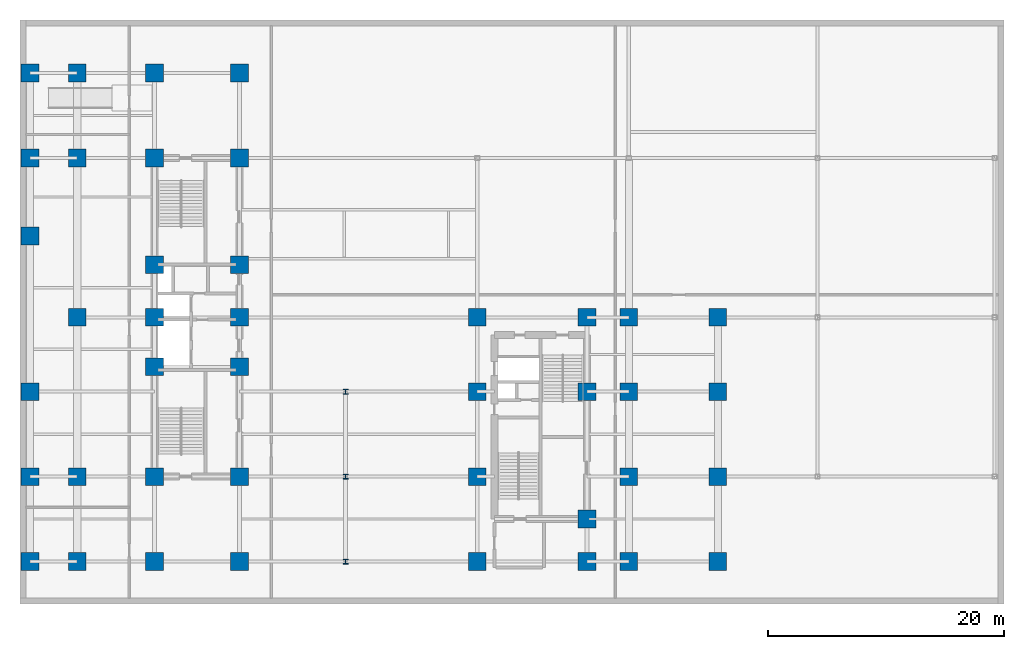
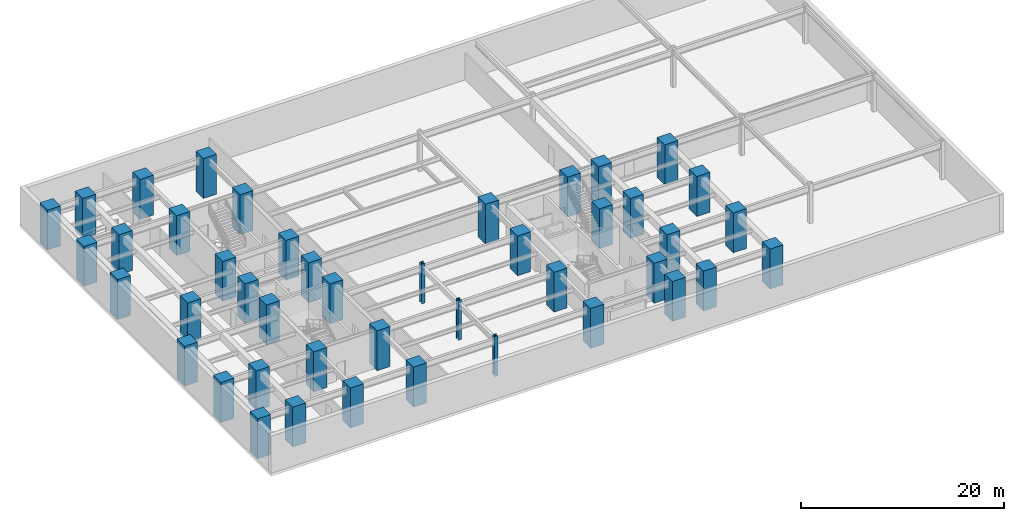
# One storey, part 1 of 9: 44 columns.
"""IFC4 building model written with IfcOpenShell, lengths in metres."""

from ifc_helpers import new_model, entity, si_unit, converted_unit, direction, frame, origin_with_axes, origin_2d_with_axis, place, context, subcontext, project, spatial, rectangle, i_section, extrude, material, material_profile, profile_set, type_object, element, save


model = new_model("IFC4")

# Units and contexts
model_context = context("Model", 3, precision=1e-05, world=origin_with_axes(), true_north=direction((0.0, 1.0)))
body_context = subcontext(model_context, "Body", "Model", "MODEL_VIEW")
ifc_project = project(units=[si_unit("LENGTHUNIT", "METRE"), si_unit("AREAUNIT", "SQUARE_METRE"), si_unit("VOLUMEUNIT", "CUBIC_METRE"), converted_unit("PLANEANGLEUNIT", "DEGREE", entity("IfcPlaneAngleMeasure", 0.017453292519943295), si_unit("PLANEANGLEUNIT", "RADIAN"), dimensions=[0, 0, 0, 0, 0, 0, 0]), si_unit("MASSUNIT", "GRAM", prefix="KILO"), si_unit("THERMODYNAMICTEMPERATUREUNIT", "KELVIN")], contexts=[model_context])

# Site, building, storey
site_placement = place(None, origin_with_axes())
site = spatial("IfcSite", under=ifc_project, at=site_placement, CompositionType="ELEMENT")
building_placement = place(site_placement, origin_with_axes())
building = spatial("IfcBuilding", under=site, at=building_placement, Name="Varnlund Millrace Tower", CompositionType="ELEMENT")
storey_placement = place(building_placement, frame((0.0, 0.0, -4.8), z_axis=(0.0, 0.0, 1.0), x_axis=(1.0, 0.0, 0.0)))
storey = spatial("IfcBuildingStorey", under=building, at=storey_placement, Name="B1", CompositionType="ELEMENT", Elevation=-4.8)

# Columns
ifc_material_1 = material(Name="Steel ASTM A913 Grade 65", Category="steel")
ifc_material_profile_1 = material_profile(ifc_material_1, i_section(OverallWidth=0.406, OverallDepth=0.416, WebThickness=0.0298, FlangeThickness=0.048, FilletRadius=0.022, at=origin_2d_with_axis()), Name="Steel ASTM A913 Grade 65")
ifc_profile_set_1 = profile_set([ifc_material_profile_1], Name="Steel ASTM A913 Grade 65")
column_type_1 = type_object("IfcColumnType", Name="Type-Col-Int-W14X257", PredefinedType="COLUMN", material=ifc_profile_set_1)
for number, where, z_axis, x_axis, name in (
    (1, (27.6, 3.6, 0.0), (0.0, 0.0, 1.0), (1.0, 0.0, 0.0), "Type-Col-Int-W14X257"),
    (2, (27.6, 10.8, 0.0), (0.0, 0.0, 1.0), (1.0, 0.0, 0.0), "Type-Col-Int-W14X257"),
    (3, (27.6, 18.0, 0.0), (0.0, 0.0, 1.0), (1.0, 0.0, 0.0), "Type-Col-Int-W14X257"),
):
    element("IfcColumn", number, at=place(storey_placement, frame(where, z_axis=z_axis, x_axis=x_axis)), inside=storey, type_object=column_type_1, Name=name, PredefinedType="COLUMN", context=body_context, shape_type="SweptSolid", body=[
        extrude(i_section(OverallWidth=0.406, OverallDepth=0.416, WebThickness=0.0298, FlangeThickness=0.048, FilletRadius=0.022, at=origin_2d_with_axis()), origin_with_axes(), (0.0, 0.0, 1.0), 4.8),
    ])
ifc_material_2 = material(Name="Concrete C80/95", Category="concrete")
ifc_material_profile_2 = material_profile(ifc_material_2, rectangle(XDim=1.5, YDim=1.5, at=origin_2d_with_axis()), Name="Concrete C80/95")
ifc_profile_set_2 = profile_set([ifc_material_profile_2], Name="Concrete C80/95")
column_type_2 = type_object("IfcColumnType", Name="Type-Col-RC1500-C80", PredefinedType="COLUMN", material=ifc_profile_set_2)
for number, where, z_axis, x_axis, name in (
    (4, (11.4, 3.6, 0.0), (0.0, 0.0, 1.0), (1.0, 0.0, 0.0), "Type-Col-RC1500-C80"),
    (5, (11.4, 10.8, 0.0), (0.0, 0.0, 1.0), (1.0, 0.0, 0.0), "Type-Col-RC1500-C80"),
    (6, (11.4, 20.1, 0.0), (0.0, 0.0, 1.0), (1.0, 0.0, 0.0), "Type-Col-RC1500-C80"),
    (7, (11.4, 24.3, 0.0), (0.0, 0.0, 1.0), (1.0, 0.0, 0.0), "Type-Col-RC1500-C80"),
    (8, (11.4, 28.75, 0.0), (0.0, 0.0, 1.0), (1.0, 0.0, 0.0), "Type-Col-RC1500-C80"),
    (9, (11.4, 37.8, 0.0), (0.0, 0.0, 1.0), (1.0, 0.0, 0.0), "Type-Col-RC1500-C80"),
    (10, (11.4, 45.0, 0.0), (0.0, 0.0, 1.0), (1.0, 0.0, 0.0), "Type-Col-RC1500-C80"),
    (11, (18.6, 3.6, 0.0), (0.0, 0.0, 1.0), (1.0, 0.0, 0.0), "Type-Col-RC1500-C80"),
    (12, (18.6, 10.8, 0.0), (0.0, 0.0, 1.0), (1.0, 0.0, 0.0), "Type-Col-RC1500-C80"),
    (13, (18.6, 20.1, 0.0), (0.0, 0.0, 1.0), (1.0, 0.0, 0.0), "Type-Col-RC1500-C80"),
    (14, (18.6, 24.3, 0.0), (0.0, 0.0, 1.0), (1.0, 0.0, 0.0), "Type-Col-RC1500-C80"),
    (15, (18.6, 28.75, 0.0), (0.0, 0.0, 1.0), (1.0, 0.0, 0.0), "Type-Col-RC1500-C80"),
    (16, (18.6, 37.8, 0.0), (0.0, 0.0, 1.0), (1.0, 0.0, 0.0), "Type-Col-RC1500-C80"),
    (17, (18.6, 45.0, 0.0), (0.0, 0.0, 1.0), (1.0, 0.0, 0.0), "Type-Col-RC1500-C80"),
    (18, (4.85, 3.6, 0.0), (0.0, 0.0, 1.0), (1.0, 0.0, 0.0), "Type-Col-RC1500-C80"),
    (19, (4.85, 10.8, 0.0), (0.0, 0.0, 1.0), (1.0, 0.0, 0.0), "Type-Col-RC1500-C80"),
    (20, (4.85, 24.3, 0.0), (0.0, 0.0, 1.0), (1.0, 0.0, 0.0), "Type-Col-RC1500-C80"),
    (21, (4.85, 37.8, 0.0), (0.0, 0.0, 1.0), (1.0, 0.0, 0.0), "Type-Col-RC1500-C80"),
    (22, (4.85, 45.0, 0.0), (0.0, 0.0, 1.0), (1.0, 0.0, 0.0), "Type-Col-RC1500-C80"),
    (23, (0.85, 3.6, 0.0), (0.0, 0.0, 1.0), (1.0, 0.0, 0.0), "Type-Col-RC1500-C80"),
    (24, (0.85, 10.8, 0.0), (0.0, 0.0, 1.0), (1.0, 0.0, 0.0), "Type-Col-RC1500-C80"),
    (25, (0.85, 18.0, 0.0), (0.0, 0.0, 1.0), (1.0, 0.0, 0.0), "Type-Col-RC1500-C80"),
    (26, (0.85, 31.2, 0.0), (0.0, 0.0, 1.0), (1.0, 0.0, 0.0), "Type-Col-RC1500-C80"),
    (27, (0.85, 37.8, 0.0), (0.0, 0.0, 1.0), (1.0, 0.0, 0.0), "Type-Col-RC1500-C80"),
    (28, (0.85, 45.0, 0.0), (0.0, 0.0, 1.0), (1.0, 0.0, 0.0), "Type-Col-RC1500-C80"),
    (29, (38.75, 3.6, 0.0), (0.0, 0.0, 1.0), (1.0, 0.0, 0.0), "Type-Col-RC1500-C80"),
    (30, (38.75, 10.8, 0.0), (0.0, 0.0, 1.0), (1.0, 0.0, 0.0), "Type-Col-RC1500-C80"),
    (31, (38.75, 18.0, 0.0), (0.0, 0.0, 1.0), (1.0, 0.0, 0.0), "Type-Col-RC1500-C80"),
    (32, (38.75, 24.3, 0.0), (0.0, 0.0, 1.0), (1.0, 0.0, 0.0), "Type-Col-RC1500-C80"),
    (33, (48.05, 3.6, 0.0), (0.0, 0.0, 1.0), (1.0, 0.0, 0.0), "Type-Col-RC1500-C80"),
    (34, (48.05, 7.2, 0.0), (0.0, 0.0, 1.0), (1.0, 0.0, 0.0), "Type-Col-RC1500-C80"),
    (35, (48.05, 18.0, 0.0), (0.0, 0.0, 1.0), (1.0, 0.0, 0.0), "Type-Col-RC1500-C80"),
    (36, (48.05, 24.3, 0.0), (0.0, 0.0, 1.0), (1.0, 0.0, 0.0), "Type-Col-RC1500-C80"),
    (37, (51.6, 3.6, 0.0), (0.0, 0.0, 1.0), (1.0, 0.0, 0.0), "Type-Col-RC1500-C80"),
    (38, (51.6, 10.8, 0.0), (0.0, 0.0, 1.0), (1.0, 0.0, 0.0), "Type-Col-RC1500-C80"),
    (39, (51.6, 18.0, 0.0), (0.0, 0.0, 1.0), (1.0, 0.0, 0.0), "Type-Col-RC1500-C80"),
    (40, (51.6, 24.3, 0.0), (0.0, 0.0, 1.0), (1.0, 0.0, 0.0), "Type-Col-RC1500-C80"),
    (41, (59.15, 3.6, 0.0), (0.0, 0.0, 1.0), (1.0, 0.0, 0.0), "Type-Col-RC1500-C80"),
    (42, (59.15, 10.8, 0.0), (0.0, 0.0, 1.0), (1.0, 0.0, 0.0), "Type-Col-RC1500-C80"),
    (43, (59.15, 18.0, 0.0), (0.0, 0.0, 1.0), (1.0, 0.0, 0.0), "Type-Col-RC1500-C80"),
    (44, (59.15, 24.3, 0.0), (0.0, 0.0, 1.0), (1.0, 0.0, 0.0), "Type-Col-RC1500-C80"),
):
    element("IfcColumn", number, at=place(storey_placement, frame(where, z_axis=z_axis, x_axis=x_axis)), inside=storey, type_object=column_type_2, Name=name, PredefinedType="COLUMN", context=body_context, shape_type="SweptSolid", body=[
        extrude(rectangle(XDim=1.5, YDim=1.5, at=origin_2d_with_axis()), origin_with_axes(), (0.0, 0.0, 1.0), 4.8),
    ])

save(model, "model.ifc")
